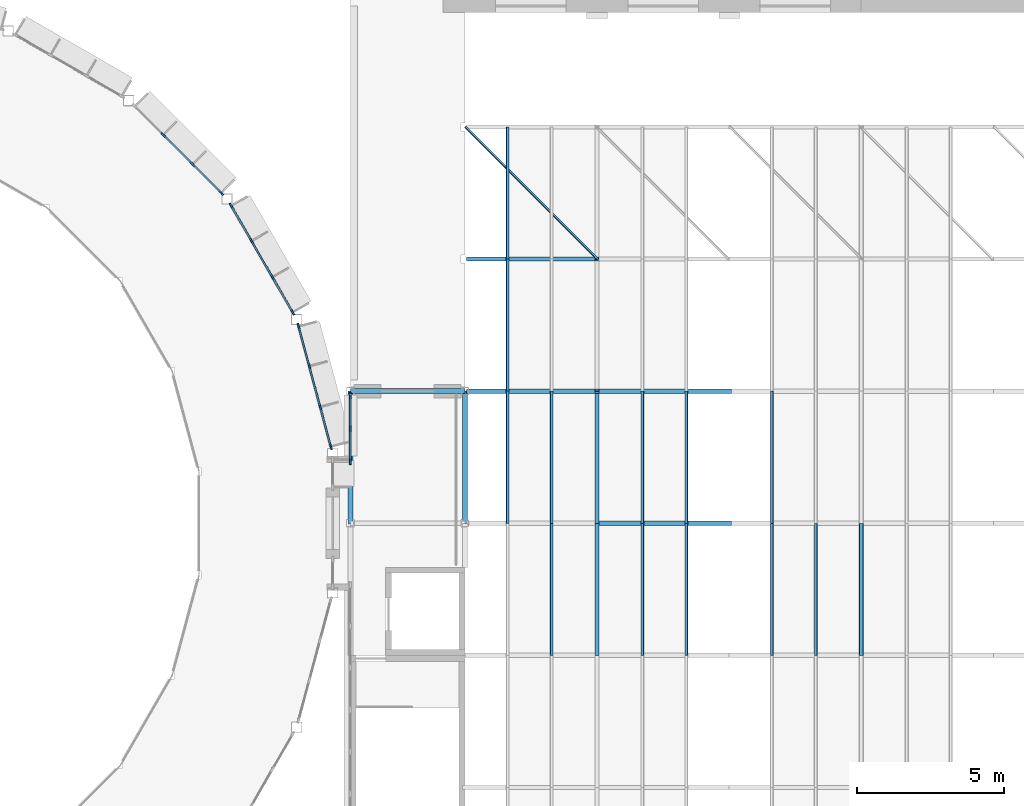
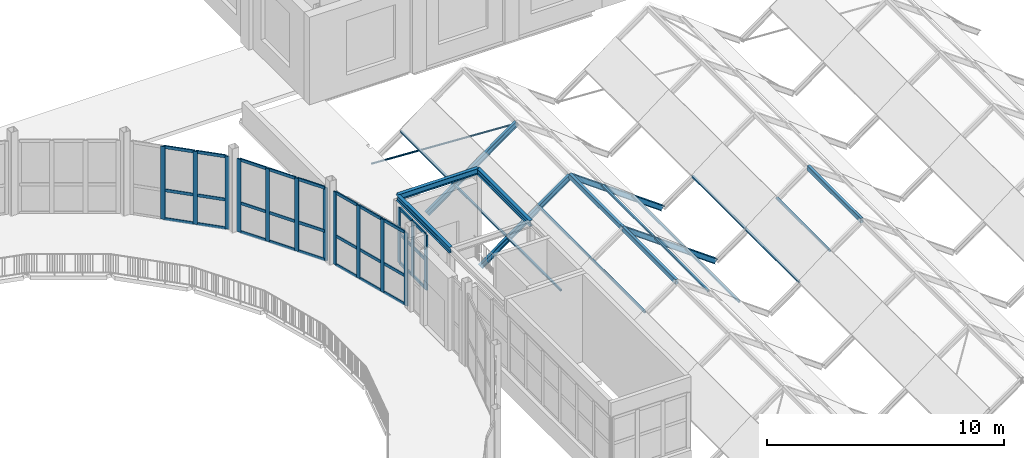
# One storey, part 22 of 74: 60 members, 7 beams, 4 elements without a shape of their own.
"""IFC4 building model written with IfcOpenShell, lengths in metres."""

from ifc_helpers import new_model, si_unit, direction, frame, origin, origin_2d, place, context, subcontext, project, spatial, rectangle, hollow_rectangle, hollow_circle, i_section, extrude, material, layer, layer_set, material_profile, profile_set, type_object, element, aggregate, save


model = new_model("IFC4")

# Units and contexts
model_context = context("Model", 3, precision=1e-05, world=origin(), true_north=direction((0.0, 1.0)))
body_context = subcontext(model_context, "Body", "Model", "MODEL_VIEW")
ifc_project = project(units=[si_unit("LENGTHUNIT", "METRE"), si_unit("AREAUNIT", "SQUARE_METRE"), si_unit("VOLUMEUNIT", "CUBIC_METRE"), si_unit("PLANEANGLEUNIT", "RADIAN"), si_unit("MASSUNIT", "GRAM", prefix="KILO")], contexts=[model_context])

# Site, building, storey
site_placement = place(None, origin())
site = spatial("IfcSite", under=ifc_project, at=site_placement, CompositionType="ELEMENT")
building_placement = place(site_placement, origin())
building = spatial("IfcBuilding", under=site, at=building_placement, Name="Hortulan Conservatory and Botanical Research Centre", CompositionType="ELEMENT")
storey_placement = place(building_placement, frame((0.0, 0.0, 6.0)))
storey = spatial("IfcBuildingStorey", under=building, at=storey_placement, Name="L01", CompositionType="ELEMENT", Elevation=6.0)

# Curtain wall, members
ifc_material_1 = material(Name="Bronze-finished aluminium", Category="aluminium")
ifc_layer = layer(ifc_material_1, 0.10009765625)
ifc_layer_set = layer_set([ifc_layer], Name="Bronze-framed Curtain Wall 1500 module")
curtain_wall_type = type_object("IfcCurtainWallType", Name="Bronze-framed Curtain Wall 1500 module", PredefinedType="NOTDEFINED", material=ifc_layer_set)
curtain_wall_1_placement = place(storey_placement, origin())
curtain_wall_1 = element("IfcCurtainWall", 1, at=curtain_wall_1_placement, inside=storey, type_object=curtain_wall_type, Name="Curtain wall", PredefinedType="NOTDEFINED")
ifc_material_profile_1 = material_profile(ifc_material_1, rectangle(XDim=0.06005859375, YDim=0.199951171875, at=origin_2d()), Name="Bronze Mullion 60x200")
ifc_profile_set_1 = profile_set([ifc_material_profile_1], Name="Bronze-finished aluminium")
member_type_1 = type_object("IfcMemberType", Name="Bronze Mullion 60x200", PredefinedType="MULLION", material=ifc_profile_set_1)
member_1_placement = place(storey_placement, frame((70.83642578125, 24.7119140625, 0.0), z_axis=(0.0, 0.0, 1.0), x_axis=(0.965922372015, 0.258831936284, 0.0)))
member_1 = element("IfcMember", 2, at=member_1_placement, type_object=member_type_1, Name="CW1 mullion 1", PredefinedType="MULLION", context=body_context, shape_type="SweptSolid", body=[
    extrude(rectangle(XDim=0.06005859375, YDim=0.199951171875, at=origin_2d()), origin(), (0.0, 0.0, 1.0), 3.75),
])
member_2_placement = place(storey_placement, frame((71.20068359375, 23.35302734375, 0.0), z_axis=(0.0, 0.0, 1.0), x_axis=(0.965922372015, 0.258831936284, 0.0)))
member_2 = element("IfcMember", 3, at=member_2_placement, type_object=member_type_1, Name="CW1 mullion 2", PredefinedType="MULLION", context=body_context, shape_type="SweptSolid", body=[
    extrude(rectangle(XDim=0.06005859375, YDim=0.199951171875, at=origin_2d()), origin(), (0.0, 0.0, 1.0), 3.75),
])
member_3_placement = place(storey_placement, frame((71.572509765625, 21.965087890625, 0.0), z_axis=(0.0, 0.0, 1.0), x_axis=(0.965922372015, 0.258831936284, 0.0)))
member_3 = element("IfcMember", 4, at=member_3_placement, type_object=member_type_1, Name="CW1 mullion 3", PredefinedType="MULLION", context=body_context, shape_type="SweptSolid", body=[
    extrude(rectangle(XDim=0.06005859375, YDim=0.199951171875, at=origin_2d()), origin(), (0.0, 0.0, 1.0), 3.75),
])
member_4_placement = place(storey_placement, frame((71.936767578125, 20.60595703125, 0.0), z_axis=(0.0, 0.0, 1.0), x_axis=(0.965922372015, 0.258831936284, 0.0)))
member_4 = element("IfcMember", 5, at=member_4_placement, type_object=member_type_1, Name="CW1 mullion 4", PredefinedType="MULLION", context=body_context, shape_type="SweptSolid", body=[
    extrude(rectangle(XDim=0.06005859375, YDim=0.199951171875, at=origin_2d()), origin(), (0.0, 0.0, 1.0), 3.75),
])

curtain_wall_2_placement = place(storey_placement, origin())
curtain_wall_2 = element("IfcCurtainWall", 6, at=curtain_wall_2_placement, inside=storey, type_object=curtain_wall_type, Name="Curtain wall", PredefinedType="NOTDEFINED")
member_5_placement = place(storey_placement, frame((68.538330078125, 28.81884765625, 0.0), z_axis=(0.0, 0.0, 1.0), x_axis=(0.866036280655, 0.499981160235, 0.0)))
member_5 = element("IfcMember", 7, at=member_5_placement, type_object=member_type_1, Name="CW1 mullion 1", PredefinedType="MULLION", context=body_context, shape_type="SweptSolid", body=[
    extrude(rectangle(XDim=0.06005859375, YDim=0.199951171875, at=origin_2d()), origin(), (0.0, 0.0, 1.0), 3.75),
])
member_6_placement = place(storey_placement, frame((69.2333984375, 27.614990234375, 0.0), z_axis=(0.0, 0.0, 1.0), x_axis=(0.866036280655, 0.499981160235, 0.0)))
member_6 = element("IfcMember", 8, at=member_6_placement, type_object=member_type_1, Name="CW1 mullion 2", PredefinedType="MULLION", context=body_context, shape_type="SweptSolid", body=[
    extrude(rectangle(XDim=0.06005859375, YDim=0.199951171875, at=origin_2d()), origin(), (0.0, 0.0, 1.0), 3.75),
])
member_7_placement = place(storey_placement, frame((69.943603515625, 26.385009765625, 0.0), z_axis=(0.0, 0.0, 1.0), x_axis=(0.866036280655, 0.499981160235, 0.0)))
member_7 = element("IfcMember", 9, at=member_7_placement, type_object=member_type_1, Name="CW1 mullion 3", PredefinedType="MULLION", context=body_context, shape_type="SweptSolid", body=[
    extrude(rectangle(XDim=0.06005859375, YDim=0.199951171875, at=origin_2d()), origin(), (0.0, 0.0, 1.0), 3.75),
])
member_8_placement = place(storey_placement, frame((70.638671875, 25.18115234375, 0.0), z_axis=(0.0, 0.0, 1.0), x_axis=(0.866036280655, 0.499981160235, 0.0)))
member_8 = element("IfcMember", 10, at=member_8_placement, type_object=member_type_1, Name="CW1 mullion 4", PredefinedType="MULLION", context=body_context, shape_type="SweptSolid", body=[
    extrude(rectangle(XDim=0.06005859375, YDim=0.199951171875, at=origin_2d()), origin(), (0.0, 0.0, 1.0), 3.75),
])

curtain_wall_3_placement = place(storey_placement, origin())
curtain_wall_3 = element("IfcCurtainWall", 11, at=curtain_wall_3_placement, inside=storey, type_object=curtain_wall_type, Name="Curtain wall", PredefinedType="NOTDEFINED")
member_9_placement = place(storey_placement, frame((66.2275390625, 31.228271484375, 0.0), z_axis=(0.0, 0.0, 1.0), x_axis=(0.707106781187, 0.707106781187, 0.0)))
member_9 = element("IfcMember", 12, at=member_9_placement, type_object=member_type_1, Name="CW1 mullion 2", PredefinedType="MULLION", context=body_context, shape_type="SweptSolid", body=[
    extrude(rectangle(XDim=0.06005859375, YDim=0.199951171875, at=origin_2d()), origin(), (0.0, 0.0, 1.0), 3.75),
])
member_10_placement = place(storey_placement, frame((67.228271484375, 30.2275390625, 0.0), z_axis=(0.0, 0.0, 1.0), x_axis=(0.707106781187, 0.707106781187, 0.0)))
member_10 = element("IfcMember", 13, at=member_10_placement, type_object=member_type_1, Name="CW1 mullion 3", PredefinedType="MULLION", context=body_context, shape_type="SweptSolid", body=[
    extrude(rectangle(XDim=0.06005859375, YDim=0.199951171875, at=origin_2d()), origin(), (0.0, 0.0, 1.0), 3.75),
])
member_11_placement = place(storey_placement, frame((68.207763671875, 29.248291015625, 0.0), z_axis=(0.0, 0.0, 1.0), x_axis=(0.707106781187, 0.707106781187, 0.0)))
member_11 = element("IfcMember", 14, at=member_11_placement, type_object=member_type_1, Name="CW1 mullion 4", PredefinedType="MULLION", context=body_context, shape_type="SweptSolid", body=[
    extrude(rectangle(XDim=0.06005859375, YDim=0.199951171875, at=origin_2d()), origin(), (0.0, 0.0, 1.0), 3.75),
])

curtain_wall_4_placement = place(storey_placement, origin())
curtain_wall_4 = element("IfcCurtainWall", 15, at=curtain_wall_4_placement, inside=storey, type_object=curtain_wall_type, Name="Curtain wall", PredefinedType="NOTDEFINED")
member_12_placement = place(storey_placement, frame((72.60009765625, 20.099609375, 0.89990234375), z_axis=(0.0, 0.0, 1.0), x_axis=(-1.0, 0.0, 0.0)))
member_12 = element("IfcMember", 16, at=member_12_placement, type_object=member_type_1, Name="CW1 mullion 1", PredefinedType="MULLION", context=body_context, shape_type="SweptSolid", body=[
    extrude(rectangle(XDim=0.06005859375, YDim=0.199951171875, at=origin_2d()), origin(), (0.0, 0.0, 1.0), 2.840087890625),
])
member_13_placement = place(storey_placement, frame((72.60009765625, 21.222412109375, 0.89990234375), z_axis=(0.0, 0.0, 1.0), x_axis=(-1.0, 0.0, 0.0)))
member_13 = element("IfcMember", 17, at=member_13_placement, type_object=member_type_1, Name="CW1 mullion 2", PredefinedType="MULLION", context=body_context, shape_type="SweptSolid", body=[
    extrude(rectangle(XDim=0.06005859375, YDim=0.199951171875, at=origin_2d()), origin(), (0.0, 0.0, 1.0), 2.840087890625),
])
member_14_placement = place(storey_placement, frame((72.60009765625, 22.344970703125, 0.89990234375), z_axis=(0.0, 0.0, 1.0), x_axis=(-1.0, 0.0, 0.0)))
member_14 = element("IfcMember", 18, at=member_14_placement, type_object=member_type_1, Name="CW1 mullion 3", PredefinedType="MULLION", context=body_context, shape_type="SweptSolid", body=[
    extrude(rectangle(XDim=0.06005859375, YDim=0.199951171875, at=origin_2d()), origin(), (0.0, 0.0, 1.0), 2.840087890625),
])

# Member
ifc_material_profile_2 = material_profile(ifc_material_1, rectangle(XDim=0.06005859375, YDim=0.14990234375, at=origin_2d()), Name="Bronze Transom 60x150")
ifc_profile_set_2 = profile_set([ifc_material_profile_2], Name="Bronze-finished aluminium")
member_type_2 = type_object("IfcMemberType", Name="Bronze Transom 60x150", PredefinedType="USERDEFINED", material=ifc_profile_set_2)
member_15_placement = place(storey_placement, frame((70.84423828125, 24.68310546875, 0.030029296875), z_axis=(0.258835745824, -0.965921351189, 0.0), x_axis=(0.965921351189, 0.258835745824, 0.0)))
member_15 = element("IfcMember", 19, at=member_15_placement, type_object=member_type_2, Name="CW1 transom 1.1", ObjectType="TRANSOM", PredefinedType="USERDEFINED", context=body_context, shape_type="SweptSolid", body=[
    extrude(rectangle(XDim=0.06005859375, YDim=0.14990234375, at=origin_2d()), origin(), (0.0, 0.0, 1.0), 1.346923828125),
])

member_16_placement = place(storey_placement, frame((70.84423828125, 24.68310546875, 1.5), z_axis=(0.258835745824, -0.965921351189, 0.0), x_axis=(0.965921351189, 0.258835745824, 0.0)))
member_16 = element("IfcMember", 20, at=member_16_placement, type_object=member_type_2, Name="CW1 transom 1.2", ObjectType="TRANSOM", PredefinedType="USERDEFINED", context=body_context, shape_type="SweptSolid", body=[
    extrude(rectangle(XDim=0.06005859375, YDim=0.14990234375, at=origin_2d()), origin(), (0.0, 0.0, 1.0), 1.346923828125),
])

member_17_placement = place(storey_placement, frame((70.84423828125, 24.68310546875, 3.719970703125), z_axis=(0.258835745824, -0.965921351189, 0.0), x_axis=(0.965921351189, 0.258835745824, 0.0)))
member_17 = element("IfcMember", 21, at=member_17_placement, type_object=member_type_2, Name="CW1 transom 1.3", ObjectType="TRANSOM", PredefinedType="USERDEFINED", context=body_context, shape_type="SweptSolid", body=[
    extrude(rectangle(XDim=0.06005859375, YDim=0.14990234375, at=origin_2d()), origin(), (0.0, 0.0, 1.0), 1.346923828125),
])

member_18_placement = place(storey_placement, frame((71.20849609375, 23.323974609375, 0.030029296875), z_axis=(0.258688817498, -0.965960711262, 0.0), x_axis=(0.965960711262, 0.258688817498, 0.0)))
member_18 = element("IfcMember", 22, at=member_18_placement, type_object=member_type_2, Name="CW1 transom 2.1", ObjectType="TRANSOM", PredefinedType="USERDEFINED", context=body_context, shape_type="SweptSolid", body=[
    extrude(rectangle(XDim=0.06005859375, YDim=0.14990234375, at=origin_2d()), origin(), (0.0, 0.0, 1.0), 1.376953125),
])

member_19_placement = place(storey_placement, frame((71.20849609375, 23.323974609375, 1.5), z_axis=(0.258688817498, -0.965960711262, 0.0), x_axis=(0.965960711262, 0.258688817498, 0.0)))
member_19 = element("IfcMember", 23, at=member_19_placement, type_object=member_type_2, Name="CW1 transom 2.2", ObjectType="TRANSOM", PredefinedType="USERDEFINED", context=body_context, shape_type="SweptSolid", body=[
    extrude(rectangle(XDim=0.06005859375, YDim=0.14990234375, at=origin_2d()), origin(), (0.0, 0.0, 1.0), 1.376953125),
])

member_20_placement = place(storey_placement, frame((71.20849609375, 23.323974609375, 3.719970703125), z_axis=(0.258688817498, -0.965960711262, 0.0), x_axis=(0.965960711262, 0.258688817498, 0.0)))
member_20 = element("IfcMember", 24, at=member_20_placement, type_object=member_type_2, Name="CW1 transom 2.3", ObjectType="TRANSOM", PredefinedType="USERDEFINED", context=body_context, shape_type="SweptSolid", body=[
    extrude(rectangle(XDim=0.06005859375, YDim=0.14990234375, at=origin_2d()), origin(), (0.0, 0.0, 1.0), 1.376953125),
])

member_21_placement = place(storey_placement, frame((71.580322265625, 21.93603515625, 0.030029296875), z_axis=(0.258835745824, -0.965921351189, 0.0), x_axis=(0.965921351189, 0.258835745824, 0.0)))
member_21 = element("IfcMember", 25, at=member_21_placement, type_object=member_type_2, Name="CW1 transom 3.1", ObjectType="TRANSOM", PredefinedType="USERDEFINED", context=body_context, shape_type="SweptSolid", body=[
    extrude(rectangle(XDim=0.06005859375, YDim=0.14990234375, at=origin_2d()), origin(), (0.0, 0.0, 1.0), 1.346923828125),
])

member_22_placement = place(storey_placement, frame((71.580322265625, 21.93603515625, 1.5), z_axis=(0.258835745824, -0.965921351189, 0.0), x_axis=(0.965921351189, 0.258835745824, 0.0)))
member_22 = element("IfcMember", 26, at=member_22_placement, type_object=member_type_2, Name="CW1 transom 3.2", ObjectType="TRANSOM", PredefinedType="USERDEFINED", context=body_context, shape_type="SweptSolid", body=[
    extrude(rectangle(XDim=0.06005859375, YDim=0.14990234375, at=origin_2d()), origin(), (0.0, 0.0, 1.0), 1.346923828125),
])

member_23_placement = place(storey_placement, frame((71.580322265625, 21.93603515625, 3.719970703125), z_axis=(0.258835745824, -0.965921351189, 0.0), x_axis=(0.965921351189, 0.258835745824, 0.0)))
member_23 = element("IfcMember", 27, at=member_23_placement, type_object=member_type_2, Name="CW1 transom 3.3", ObjectType="TRANSOM", PredefinedType="USERDEFINED", context=body_context, shape_type="SweptSolid", body=[
    extrude(rectangle(XDim=0.06005859375, YDim=0.14990234375, at=origin_2d()), origin(), (0.0, 0.0, 1.0), 1.346923828125),
])

aggregate(curtain_wall_1, [member_1, member_2, member_3, member_4, member_15, member_16, member_17, member_18, member_19, member_20, member_21, member_22, member_23])

member_24_placement = place(storey_placement, frame((68.553466796875, 28.79296875, 0.030029296875), z_axis=(0.499928984136, -0.866066400931, 0.0), x_axis=(0.866066400931, 0.499928984136, 0.0)))
member_24 = element("IfcMember", 28, at=member_24_placement, type_object=member_type_2, Name="CW1 transom 1.1", ObjectType="TRANSOM", PredefinedType="USERDEFINED", context=body_context, shape_type="SweptSolid", body=[
    extrude(rectangle(XDim=0.06005859375, YDim=0.14990234375, at=origin_2d()), origin(), (0.0, 0.0, 1.0), 1.330322265625),
])

member_25_placement = place(storey_placement, frame((68.553466796875, 28.79296875, 1.5), z_axis=(0.499928984136, -0.866066400931, 0.0), x_axis=(0.866066400931, 0.499928984136, 0.0)))
member_25 = element("IfcMember", 29, at=member_25_placement, type_object=member_type_2, Name="CW1 transom 1.2", ObjectType="TRANSOM", PredefinedType="USERDEFINED", context=body_context, shape_type="SweptSolid", body=[
    extrude(rectangle(XDim=0.06005859375, YDim=0.14990234375, at=origin_2d()), origin(), (0.0, 0.0, 1.0), 1.330322265625),
])

member_26_placement = place(storey_placement, frame((68.553466796875, 28.79296875, 3.719970703125), z_axis=(0.499928984136, -0.866066400931, 0.0), x_axis=(0.866066400931, 0.499928984136, 0.0)))
member_26 = element("IfcMember", 30, at=member_26_placement, type_object=member_type_2, Name="CW1 transom 1.3", ObjectType="TRANSOM", PredefinedType="USERDEFINED", context=body_context, shape_type="SweptSolid", body=[
    extrude(rectangle(XDim=0.06005859375, YDim=0.14990234375, at=origin_2d()), origin(), (0.0, 0.0, 1.0), 1.330322265625),
])

member_27_placement = place(storey_placement, frame((69.24853515625, 27.5888671875, 0.030029296875), z_axis=(0.499981459473, -0.866036107898, 0.0), x_axis=(0.866036107898, 0.499981459473, 0.0)))
member_27 = element("IfcMember", 31, at=member_27_placement, type_object=member_type_2, Name="CW1 transom 2.1", ObjectType="TRANSOM", PredefinedType="USERDEFINED", context=body_context, shape_type="SweptSolid", body=[
    extrude(rectangle(XDim=0.06005859375, YDim=0.14990234375, at=origin_2d()), origin(), (0.0, 0.0, 1.0), 1.35986328125),
])

member_28_placement = place(storey_placement, frame((69.24853515625, 27.5888671875, 1.5), z_axis=(0.499981459473, -0.866036107898, 0.0), x_axis=(0.866036107898, 0.499981459473, 0.0)))
member_28 = element("IfcMember", 32, at=member_28_placement, type_object=member_type_2, Name="CW1 transom 2.2", ObjectType="TRANSOM", PredefinedType="USERDEFINED", context=body_context, shape_type="SweptSolid", body=[
    extrude(rectangle(XDim=0.06005859375, YDim=0.14990234375, at=origin_2d()), origin(), (0.0, 0.0, 1.0), 1.35986328125),
])

member_29_placement = place(storey_placement, frame((69.24853515625, 27.5888671875, 3.719970703125), z_axis=(0.499981459473, -0.866036107898, 0.0), x_axis=(0.866036107898, 0.499981459473, 0.0)))
member_29 = element("IfcMember", 33, at=member_29_placement, type_object=member_type_2, Name="CW1 transom 2.3", ObjectType="TRANSOM", PredefinedType="USERDEFINED", context=body_context, shape_type="SweptSolid", body=[
    extrude(rectangle(XDim=0.06005859375, YDim=0.14990234375, at=origin_2d()), origin(), (0.0, 0.0, 1.0), 1.35986328125),
])

member_30_placement = place(storey_placement, frame((69.95849609375, 26.359130859375, 0.030029296875), z_axis=(0.499928984136, -0.866066400931, 0.0), x_axis=(0.866066400931, 0.499928984136, 0.0)))
member_30 = element("IfcMember", 34, at=member_30_placement, type_object=member_type_2, Name="CW1 transom 3.1", ObjectType="TRANSOM", PredefinedType="USERDEFINED", context=body_context, shape_type="SweptSolid", body=[
    extrude(rectangle(XDim=0.06005859375, YDim=0.14990234375, at=origin_2d()), origin(), (0.0, 0.0, 1.0), 1.330322265625),
])

member_31_placement = place(storey_placement, frame((69.95849609375, 26.359130859375, 1.5), z_axis=(0.499928984136, -0.866066400931, 0.0), x_axis=(0.866066400931, 0.499928984136, 0.0)))
member_31 = element("IfcMember", 35, at=member_31_placement, type_object=member_type_2, Name="CW1 transom 3.2", ObjectType="TRANSOM", PredefinedType="USERDEFINED", context=body_context, shape_type="SweptSolid", body=[
    extrude(rectangle(XDim=0.06005859375, YDim=0.14990234375, at=origin_2d()), origin(), (0.0, 0.0, 1.0), 1.330322265625),
])

member_32_placement = place(storey_placement, frame((69.95849609375, 26.359130859375, 3.719970703125), z_axis=(0.499928984136, -0.866066400931, 0.0), x_axis=(0.866066400931, 0.499928984136, 0.0)))
member_32 = element("IfcMember", 36, at=member_32_placement, type_object=member_type_2, Name="CW1 transom 3.3", ObjectType="TRANSOM", PredefinedType="USERDEFINED", context=body_context, shape_type="SweptSolid", body=[
    extrude(rectangle(XDim=0.06005859375, YDim=0.14990234375, at=origin_2d()), origin(), (0.0, 0.0, 1.0), 1.330322265625),
])

aggregate(curtain_wall_2, [member_5, member_6, member_7, member_8, member_24, member_25, member_26, member_27, member_28, member_29, member_30, member_31, member_32])

member_33_placement = place(storey_placement, frame((66.248779296875, 31.20703125, 0.030029296875), z_axis=(0.707106781187, -0.707106781187, 0.0), x_axis=(0.707106781187, 0.707106781187, 0.0)))
member_33 = element("IfcMember", 37, at=member_33_placement, type_object=member_type_2, Name="CW1 transom 2.1", ObjectType="TRANSOM", PredefinedType="USERDEFINED", context=body_context, shape_type="SweptSolid", body=[
    extrude(rectangle(XDim=0.06005859375, YDim=0.14990234375, at=origin_2d()), origin(), (0.0, 0.0, 1.0), 1.355224609375),
])

member_34_placement = place(storey_placement, frame((66.248779296875, 31.20703125, 1.5), z_axis=(0.707106781187, -0.707106781187, 0.0), x_axis=(0.707106781187, 0.707106781187, 0.0)))
member_34 = element("IfcMember", 38, at=member_34_placement, type_object=member_type_2, Name="CW1 transom 2.2", ObjectType="TRANSOM", PredefinedType="USERDEFINED", context=body_context, shape_type="SweptSolid", body=[
    extrude(rectangle(XDim=0.06005859375, YDim=0.14990234375, at=origin_2d()), origin(), (0.0, 0.0, 1.0), 1.355224609375),
])

member_35_placement = place(storey_placement, frame((66.248779296875, 31.20703125, 3.719970703125), z_axis=(0.707106781187, -0.707106781187, 0.0), x_axis=(0.707106781187, 0.707106781187, 0.0)))
member_35 = element("IfcMember", 39, at=member_35_placement, type_object=member_type_2, Name="CW1 transom 2.3", ObjectType="TRANSOM", PredefinedType="USERDEFINED", context=body_context, shape_type="SweptSolid", body=[
    extrude(rectangle(XDim=0.06005859375, YDim=0.14990234375, at=origin_2d()), origin(), (0.0, 0.0, 1.0), 1.355224609375),
])

member_36_placement = place(storey_placement, frame((67.24951171875, 30.206298828125, 0.030029296875), z_axis=(0.70719890636, -0.707014644009, 0.0), x_axis=(0.707014644009, 0.70719890636, 0.0)))
member_36 = element("IfcMember", 40, at=member_36_placement, type_object=member_type_2, Name="CW1 transom 3.1", ObjectType="TRANSOM", PredefinedType="USERDEFINED", context=body_context, shape_type="SweptSolid", body=[
    extrude(rectangle(XDim=0.06005859375, YDim=0.14990234375, at=origin_2d()), origin(), (0.0, 0.0, 1.0), 1.324951171875),
])

member_37_placement = place(storey_placement, frame((67.24951171875, 30.206298828125, 1.5), z_axis=(0.70719890636, -0.707014644009, 0.0), x_axis=(0.707014644009, 0.70719890636, 0.0)))
member_37 = element("IfcMember", 41, at=member_37_placement, type_object=member_type_2, Name="CW1 transom 3.2", ObjectType="TRANSOM", PredefinedType="USERDEFINED", context=body_context, shape_type="SweptSolid", body=[
    extrude(rectangle(XDim=0.06005859375, YDim=0.14990234375, at=origin_2d()), origin(), (0.0, 0.0, 1.0), 1.324951171875),
])

member_38_placement = place(storey_placement, frame((67.24951171875, 30.206298828125, 3.719970703125), z_axis=(0.70719890636, -0.707014644009, 0.0), x_axis=(0.707014644009, 0.70719890636, 0.0)))
member_38 = element("IfcMember", 42, at=member_38_placement, type_object=member_type_2, Name="CW1 transom 3.3", ObjectType="TRANSOM", PredefinedType="USERDEFINED", context=body_context, shape_type="SweptSolid", body=[
    extrude(rectangle(XDim=0.06005859375, YDim=0.14990234375, at=origin_2d()), origin(), (0.0, 0.0, 1.0), 1.324951171875),
])

aggregate(curtain_wall_3, [member_9, member_10, member_11, member_33, member_34, member_35, member_36, member_37, member_38])

member_39_placement = place(storey_placement, frame((72.60009765625, 20.129638671875, 0.929931640625), z_axis=(0.0, 1.0, 0.0), x_axis=(-1.0, 0.0, 0.0)))
member_39 = element("IfcMember", 43, at=member_39_placement, type_object=member_type_2, Name="CW1 transom 1.1", ObjectType="TRANSOM", PredefinedType="USERDEFINED", context=body_context, shape_type="SweptSolid", body=[
    extrude(rectangle(XDim=0.06005859375, YDim=0.14990234375, at=origin_2d()), origin(), (0.0, 0.0, 1.0), 1.062744140625),
])

member_40_placement = place(storey_placement, frame((72.60009765625, 20.129638671875, 2.39990234375), z_axis=(0.0, 1.0, 0.0), x_axis=(-1.0, 0.0, 0.0)))
member_40 = element("IfcMember", 44, at=member_40_placement, type_object=member_type_2, Name="CW1 transom 1.2", ObjectType="TRANSOM", PredefinedType="USERDEFINED", context=body_context, shape_type="SweptSolid", body=[
    extrude(rectangle(XDim=0.06005859375, YDim=0.14990234375, at=origin_2d()), origin(), (0.0, 0.0, 1.0), 1.062744140625),
])

member_41_placement = place(storey_placement, frame((72.60009765625, 20.129638671875, 3.7099609375), z_axis=(0.0, 1.0, 0.0), x_axis=(-1.0, 0.0, 0.0)))
member_41 = element("IfcMember", 45, at=member_41_placement, type_object=member_type_2, Name="CW1 transom 1.3", ObjectType="TRANSOM", PredefinedType="USERDEFINED", context=body_context, shape_type="SweptSolid", body=[
    extrude(rectangle(XDim=0.06005859375, YDim=0.14990234375, at=origin_2d()), origin(), (0.0, 0.0, 1.0), 1.062744140625),
])

member_42_placement = place(storey_placement, frame((72.60009765625, 21.25244140625, 0.929931640625), z_axis=(0.0, 1.0, 0.0), x_axis=(-1.0, 0.0, 0.0)))
member_42 = element("IfcMember", 46, at=member_42_placement, type_object=member_type_2, Name="CW1 transom 2.1", ObjectType="TRANSOM", PredefinedType="USERDEFINED", context=body_context, shape_type="SweptSolid", body=[
    extrude(rectangle(XDim=0.06005859375, YDim=0.14990234375, at=origin_2d()), origin(), (0.0, 0.0, 1.0), 1.0625),
])

member_43_placement = place(storey_placement, frame((72.60009765625, 21.25244140625, 2.39990234375), z_axis=(0.0, 1.0, 0.0), x_axis=(-1.0, 0.0, 0.0)))
member_43 = element("IfcMember", 47, at=member_43_placement, type_object=member_type_2, Name="CW1 transom 2.2", ObjectType="TRANSOM", PredefinedType="USERDEFINED", context=body_context, shape_type="SweptSolid", body=[
    extrude(rectangle(XDim=0.06005859375, YDim=0.14990234375, at=origin_2d()), origin(), (0.0, 0.0, 1.0), 1.0625),
])

member_44_placement = place(storey_placement, frame((72.60009765625, 21.25244140625, 3.7099609375), z_axis=(0.0, 1.0, 0.0), x_axis=(-1.0, 0.0, 0.0)))
member_44 = element("IfcMember", 48, at=member_44_placement, type_object=member_type_2, Name="CW1 transom 2.3", ObjectType="TRANSOM", PredefinedType="USERDEFINED", context=body_context, shape_type="SweptSolid", body=[
    extrude(rectangle(XDim=0.06005859375, YDim=0.14990234375, at=origin_2d()), origin(), (0.0, 0.0, 1.0), 1.0625),
])

aggregate(curtain_wall_4, [member_12, member_13, member_14, member_39, member_40, member_41, member_42, member_43, member_44])

# Members
ifc_material_2 = material(Name="Steel Grade C350L0 (350 MPa, AS/NZS 1163)", Category="steel")
ifc_material_profile_3 = material_profile(ifc_material_2, hollow_circle(Radius=0.04443359375, WallThickness=0.005859375, at=origin_2d()), Name="88.9x5.9CHS")
ifc_profile_set_3 = profile_set([ifc_material_profile_3], Name="Steel Grade C350L0 (350 MPa, AS/NZS 1163)")
member_type_3 = type_object("IfcMemberType", Name="Climate House Bracing 88.9x5.9 CHS", PredefinedType="BRACE", material=ifc_profile_set_3)
member_45_placement = place(storey_placement, frame((76.5234375, 31.5, -0.928955078125), z_axis=(0.630092382257, -0.630092382257, 0.453836071335), x_axis=(0.707106781187, 0.707106781187, 0.0)))
element("IfcMember", 49, at=member_45_placement, inside=storey, type_object=member_type_3, Name="Temperate Glasshouse roof bracing W end bay 2", PredefinedType="BRACE", context=body_context, shape_type="SweptSolid", body=[
    extrude(hollow_circle(Radius=0.04443359375, WallThickness=0.005859375, at=origin_2d()), origin(), (0.0, 0.0, 1.0), 7.141845703125),
])
ifc_material_3 = material(Name="Steel Grade C450L0 (450 MPa, AS/NZS 1163)", Category="steel")
ifc_material_profile_4 = material_profile(ifc_material_3, hollow_rectangle(XDim=0.10009765625, YDim=0.10009765625, WallThickness=0.006103515625, InnerFilletRadius=0.009033203125, OuterFilletRadius=0.014892578125, at=origin_2d()), Name="100x100x6SHS")
ifc_profile_set_4 = profile_set([ifc_material_profile_4], Name="Steel Grade C450L0 (450 MPa, AS/NZS 1163)")
member_type_4 = type_object("IfcMemberType", Name="Climate House Purlin 100x100x6 SHS", PredefinedType="PURLIN", material=ifc_profile_set_4)
for number, where, z_axis, x_axis, name in (
    (50, (77.95556640625, 18.0, 0.24560546875), (0.0, 1.0, 0.0), (-1.0, 0.0, 0.0), "Temperate Glasshouse purlin W1 bay 5"),
    (51, (77.95556640625, 22.5, 0.24560546875), (0.0, 1.0, 0.0), (-1.0, 0.0, 0.0), "Temperate Glasshouse purlin W1 bay 6"),
    (52, (77.95556640625, 27.0, 0.24560546875), (0.0, 1.0, 0.0), (-1.0, 0.0, 0.0), "Temperate Glasshouse purlin W1 bay 7"),
    (53, (79.45556640625, 13.5, 1.325927734375), (0.0, 1.0, 0.0), (-1.0, 0.0, 0.0), "Temperate Glasshouse purlin W2 bay 4"),
    (54, (79.45556640625, 18.0, 1.325927734375), (0.0, 1.0, 0.0), (-1.0, 0.0, 0.0), "Temperate Glasshouse purlin W2 bay 5"),
    (55, (84.04443359375, 13.5, 0.24560546875), (0.0, 1.0, 0.0), (-1.0, 0.0, 0.0), "Temperate Glasshouse purlin E1 bay 4"),
    (56, (84.04443359375, 18.0, 0.24560546875), (0.0, 1.0, 0.0), (-1.0, 0.0, 0.0), "Temperate Glasshouse purlin E1 bay 5"),
    (57, (82.54443359375, 13.5, 1.325927734375), (0.0, 1.0, 0.0), (-1.0, 0.0, 0.0), "Temperate Glasshouse purlin E2 bay 4"),
    (58, (82.54443359375, 18.0, 1.325927734375), (0.0, 1.0, 0.0), (-1.0, 0.0, 0.0), "Temperate Glasshouse purlin E2 bay 5"),
    (59, (86.95556640625, 13.5, 0.24560546875), (0.0, 1.0, 0.0), (-1.0, 0.0, 0.0), "Arid Glasshouse purlin W1 bay 4"),
    (60, (86.95556640625, 18.0, 0.24560546875), (0.0, 1.0, 0.0), (-1.0, 0.0, 0.0), "Arid Glasshouse purlin W1 bay 5"),
    (61, (88.45556640625, 13.5, 1.325927734375), (0.0, 1.0, 0.0), (-1.0, 0.0, 0.0), "Arid Glasshouse purlin W2 bay 4"),
):
    element("IfcMember", number, at=place(storey_placement, frame(where, z_axis=z_axis, x_axis=x_axis)), inside=storey, type_object=member_type_4, Name=name, PredefinedType="PURLIN", context=body_context, shape_type="SweptSolid", body=[
        extrude(hollow_rectangle(XDim=0.10009765625, YDim=0.10009765625, WallThickness=0.006103515625, InnerFilletRadius=0.009033203125, OuterFilletRadius=0.014892578125, at=origin_2d()), origin(), (0.0, 0.0, 1.0), 4.5),
    ])

# Beams
ifc_material_4 = material(Name="Steel Grade 300PLUS (AS/NZS 3679.1, 280 MPa minimum yield)", Category="steel")
ifc_material_profile_5 = material_profile(ifc_material_4, i_section(OverallWidth=0.14599609375, OverallDepth=0.251953125, WebThickness=0.006103515625, FlangeThickness=0.008544921875, FilletRadius=0.0087890625, at=origin_2d()), Name="250UB31.4")
ifc_profile_set_5 = profile_set([ifc_material_profile_5], Name="Steel Grade 300PLUS (AS/NZS 3679.1, 280 MPa minimum yield)")
beam_type_1 = type_object("IfcBeamType", Name="Climate House Rafter 250UB31.4", PredefinedType="BEAM", material=ifc_profile_set_5)
beam_1_placement = place(storey_placement, frame((85.5, 18.0, -0.896484375), z_axis=(-0.811430788987, 0.0, 0.584448521842), x_axis=(0.0, -1.0, 0.0)))
element("IfcBeam", 62, at=beam_1_placement, inside=storey, type_object=beam_type_1, Name="Temperate Glasshouse rafter east frame 5", PredefinedType="BEAM", context=body_context, shape_type="SweptSolid", body=[
    extrude(i_section(OverallWidth=0.14599609375, OverallDepth=0.251953125, WebThickness=0.006103515625, FlangeThickness=0.008544921875, FilletRadius=0.0087890625, at=origin_2d()), origin(), (0.0, 0.0, 1.0), 5.545654296875),
])
beam_2_placement = place(storey_placement, frame((76.625, 22.5, -0.806396484375), z_axis=(0.811435560969, 0.0, 0.584441896508), x_axis=(0.0, 1.0, 0.0)))
element("IfcBeam", 63, at=beam_2_placement, inside=storey, type_object=beam_type_1, Name="Temperate Glasshouse rafter west frame 6", PredefinedType="BEAM", context=body_context, shape_type="SweptSolid", body=[
    extrude(i_section(OverallWidth=0.14599609375, OverallDepth=0.251953125, WebThickness=0.006103515625, FlangeThickness=0.008544921875, FilletRadius=0.0087890625, at=origin_2d()), origin(), (0.0, 0.0, 1.0), 5.3916015625),
])
beam_3_placement = place(storey_placement, frame((85.5, 22.5, -0.896484375), z_axis=(-0.811430788987, 0.0, 0.584448521842), x_axis=(0.0, -1.0, 0.0)))
element("IfcBeam", 64, at=beam_3_placement, inside=storey, type_object=beam_type_1, Name="Temperate Glasshouse rafter east frame 6", PredefinedType="BEAM", context=body_context, shape_type="SweptSolid", body=[
    extrude(i_section(OverallWidth=0.14599609375, OverallDepth=0.251953125, WebThickness=0.006103515625, FlangeThickness=0.008544921875, FilletRadius=0.0087890625, at=origin_2d()), origin(), (0.0, 0.0, 1.0), 5.545654296875),
])
beam_4_placement = place(storey_placement, frame((76.625, 27.0, -0.806396484375), z_axis=(0.811435560969, 0.0, 0.584441896508), x_axis=(0.0, 1.0, 0.0)))
element("IfcBeam", 65, at=beam_4_placement, inside=storey, type_object=beam_type_1, Name="Temperate Glasshouse rafter west frame 7", PredefinedType="BEAM", context=body_context, shape_type="SweptSolid", body=[
    extrude(i_section(OverallWidth=0.14599609375, OverallDepth=0.251953125, WebThickness=0.006103515625, FlangeThickness=0.008544921875, FilletRadius=0.0087890625, at=origin_2d()), origin(), (0.0, 0.0, 1.0), 5.3916015625),
])

# Members
ifc_material_profile_6 = material_profile(ifc_material_3, hollow_rectangle(XDim=0.14990234375, YDim=0.25, WallThickness=0.009033203125, InnerFilletRadius=0.013427734375, OuterFilletRadius=0.0224609375, at=origin_2d()), Name="250x150x9RHS")
ifc_profile_set_6 = profile_set([ifc_material_profile_6], Name="Steel Grade C450L0 (450 MPa, AS/NZS 1163)")
member_type_5 = type_object("IfcMemberType", Name="Climate House Ridge Member 250x150x9 RHS", PredefinedType="MEMBER", material=ifc_profile_set_6)
for number, where, z_axis, x_axis, name in (
    (66, (81.0, 13.5, 2.3447265625), (0.0, 1.0, 0.0), (-1.0, 0.0, 0.0), "Temperate Glasshouse ridge bay 4"),
    (67, (81.0, 18.0, 2.3447265625), (0.0, 1.0, 0.0), (-1.0, 0.0, 0.0), "Temperate Glasshouse ridge bay 5"),
    (68, (90.0, 13.5, 2.3447265625), (0.0, 1.0, 0.0), (-1.0, 0.0, 0.0), "Arid Glasshouse ridge bay 4"),
):
    element("IfcMember", number, at=place(storey_placement, frame(where, z_axis=z_axis, x_axis=x_axis)), inside=storey, type_object=member_type_5, Name=name, PredefinedType="MEMBER", context=body_context, shape_type="SweptSolid", body=[
        extrude(hollow_rectangle(XDim=0.14990234375, YDim=0.25, WallThickness=0.009033203125, InnerFilletRadius=0.013427734375, OuterFilletRadius=0.0224609375, at=origin_2d()), origin(), (0.0, 0.0, 1.0), 4.5),
    ])

# Beams
ifc_material_profile_7 = material_profile(ifc_material_4, i_section(OverallWidth=0.1650390625, OverallDepth=0.303955078125, WebThickness=0.006103515625, FlangeThickness=0.01025390625, FilletRadius=0.011474609375, at=origin_2d()), Name="310UB40.4")
ifc_profile_set_7 = profile_set([ifc_material_profile_7], Name="Steel Grade 300PLUS (AS/NZS 3679.1, 280 MPa minimum yield)")
beam_type_2 = type_object("IfcBeamType", Name="Head Link Beam 310UB40.4", PredefinedType="BEAM", material=ifc_profile_set_7)
beam_5_placement = place(storey_placement, frame((72.60009765625, 22.5, 4.197998046875), z_axis=(1.0, 0.0, 0.0), x_axis=(0.0, 1.0, 0.0)))
element("IfcBeam", 69, at=beam_5_placement, inside=storey, type_object=beam_type_2, Name="HE roof beam 1", PredefinedType="BEAM", context=body_context, shape_type="SweptSolid", body=[
    extrude(i_section(OverallWidth=0.1650390625, OverallDepth=0.303955078125, WebThickness=0.006103515625, FlangeThickness=0.01025390625, FilletRadius=0.011474609375, at=origin_2d()), origin(), (0.0, 0.0, 1.0), 3.89990234375),
])
for number, where, z_axis, x_axis, name in (
    (70, (76.5, 18.0, 4.197998046875), (0.0, 1.0, 0.0), (-1.0, 0.0, 0.0), "HE roof beam 4"),
    (71, (72.60009765625, 18.0, 4.197998046875), (0.0, 1.0, 0.0), (-1.0, 0.0, 0.0), "HE roof beam 6"),
):
    element("IfcBeam", number, at=place(storey_placement, frame(where, z_axis=z_axis, x_axis=x_axis)), inside=storey, type_object=beam_type_2, Name=name, PredefinedType="BEAM", context=body_context, shape_type="SweptSolid", body=[
        extrude(i_section(OverallWidth=0.1650390625, OverallDepth=0.303955078125, WebThickness=0.006103515625, FlangeThickness=0.01025390625, FilletRadius=0.011474609375, at=origin_2d()), origin(), (0.0, 0.0, 1.0), 4.5),
    ])

save(model, "model.ifc")
